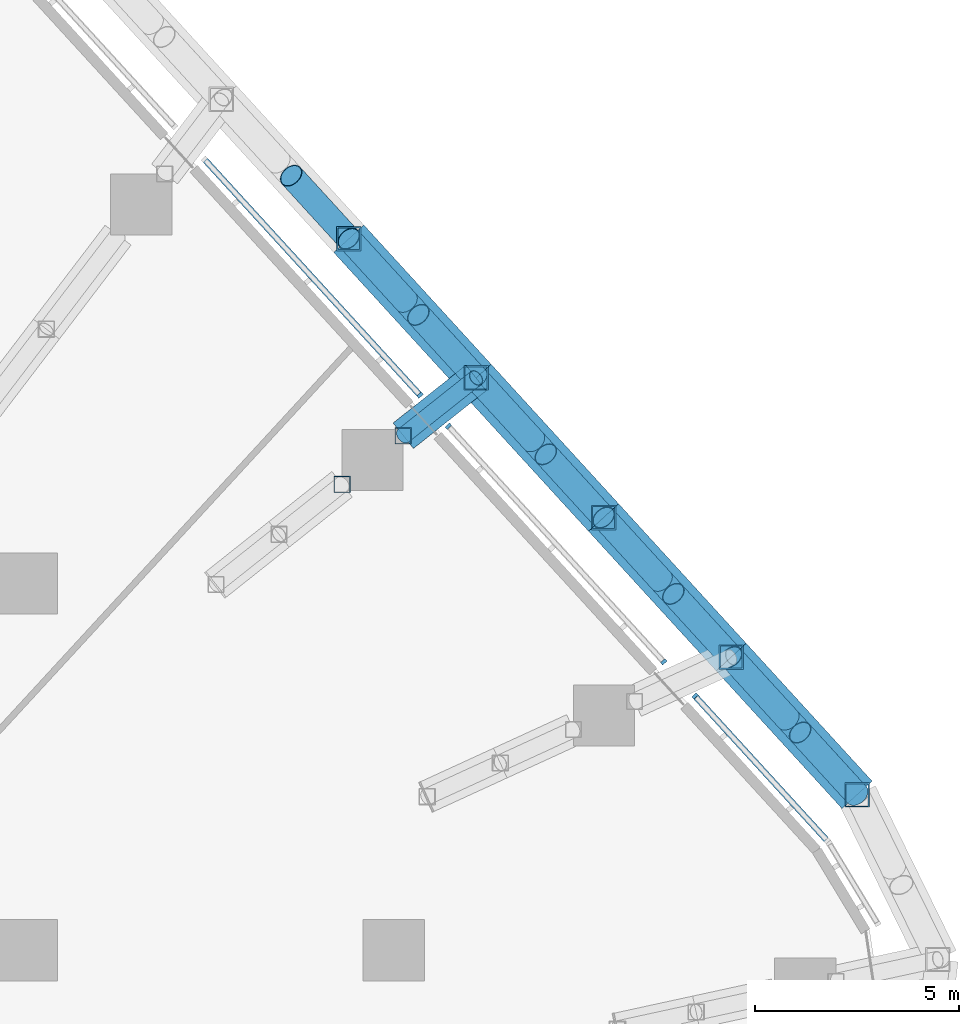
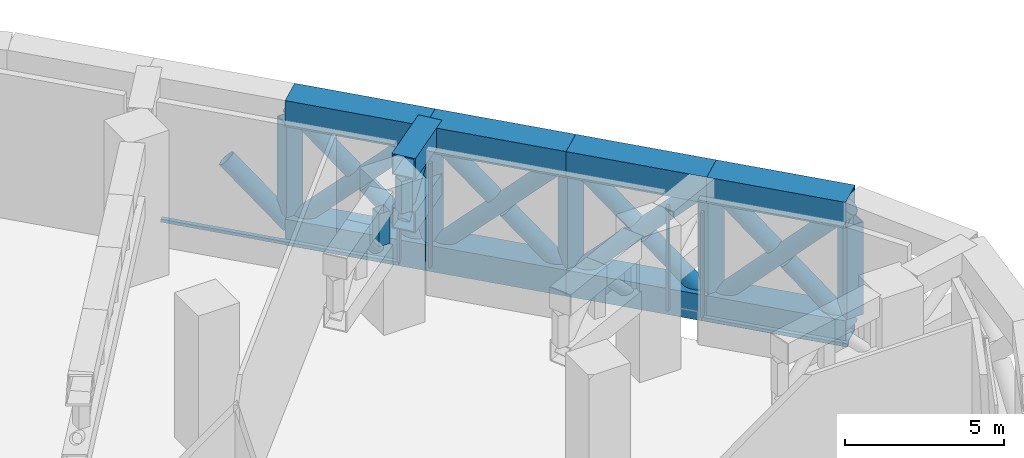
# One storey, part 12 of 38: 37 members, 1 element without a shape of its own.
"""IFC4 building model written with IfcOpenShell, lengths in metres."""

from ifc_helpers import new_model, si_unit, direction, frame, origin, origin_2d, place, context, subcontext, project, spatial, rectangle, hollow_rectangle, hollow_circle, extrude, material, layer, layer_set, material_profile, profile_set, type_object, element, aggregate, save


model = new_model("IFC4")

# Units and contexts
model_context = context("Model", 3, precision=1e-05, world=origin(), true_north=direction((0.0, 1.0)))
body_context = subcontext(model_context, "Body", "Model", "MODEL_VIEW")
ifc_project = project(units=[si_unit("LENGTHUNIT", "METRE"), si_unit("AREAUNIT", "SQUARE_METRE"), si_unit("VOLUMEUNIT", "CUBIC_METRE"), si_unit("PLANEANGLEUNIT", "RADIAN"), si_unit("MASSUNIT", "GRAM", prefix="KILO")], contexts=[model_context])

# Site, building, storey
site_placement = place(None, origin())
site = spatial("IfcSite", under=ifc_project, at=site_placement, CompositionType="ELEMENT")
building_placement = place(site_placement, origin())
building = spatial("IfcBuilding", under=site, at=building_placement, Name="Dongbaek Canopy Tower", CompositionType="ELEMENT")
storey_placement = place(building_placement, frame((0.0, 0.0, 89.199951171875)))
storey = spatial("IfcBuildingStorey", under=building, at=storey_placement, Name="L18", CompositionType="ELEMENT", Elevation=89.199951171875)

# Members
ifc_material_1 = material(Name="Steel S355", Category="steel")
ifc_material_profile_1 = material_profile(ifc_material_1, hollow_circle(Radius=0.304931640625, WallThickness=0.01611328125, at=origin_2d()), Name="BELT BRACE CHS 610.0x16.0 Steel S355")
ifc_profile_set_1 = profile_set([ifc_material_profile_1], Name="Steel S355")
member_type_1 = type_object("IfcMemberType", Name="BELT BRACE CHS 610.0x16.0 Steel S355", PredefinedType="BRACE", material=ifc_profile_set_1)
member_1_placement = place(storey_placement, frame((25.89501953125, 26.460205078125, 0.5), z_axis=(-0.481188682869, 0.526435030724, 0.700944798044), x_axis=(-0.738114931163, -0.674674994641, 0.0)))
element("IfcMember", 1, at=member_1_placement, inside=storey, type_object=member_type_1, Name="BELT:L18:18:D0:1", PredefinedType="BRACE", context=body_context, shape_type="SweptSolid", body=[
    extrude(hollow_circle(Radius=0.304931640625, WallThickness=0.01611328125, at=origin_2d()), origin(), (0.0, 0.0, 1.0), 2.940673828125),
])
member_2_placement = place(storey_placement, frame((25.89501953125, 26.460205078125, 0.5), z_axis=(0.481159334957, -0.526443149488, 0.700958846682), x_axis=(0.73814060422, 0.674646906464, 0.0)))
element("IfcMember", 2, at=member_2_placement, inside=storey, type_object=member_type_1, Name="BELT:L18:18:D1:0", PredefinedType="BRACE", context=body_context, shape_type="SweptSolid", body=[
    extrude(hollow_circle(Radius=0.304931640625, WallThickness=0.01611328125, at=origin_2d()), origin(), (0.0, 0.0, 1.0), 6.4912109375),
])
for number, where, z_axis, x_axis, name in (
    (3, (29.018310546875, 23.04296875, 0.5), (-0.481124881077, 0.526456060554, 0.700972799126), (-0.738172900527, -0.674611568925, 0.0), "BELT:L18:18:D1:1"),
    (4, (25.89501953125, 26.460205078125, 5.050048828125), (0.481124881077, -0.526456060554, -0.700972799126), (0.738172900527, 0.674611568925, 0.0), "BELT:L18:18:D1:2"),
):
    element("IfcMember", number, at=place(storey_placement, frame(where, z_axis=z_axis, x_axis=x_axis)), inside=storey, type_object=member_type_1, Name=name, PredefinedType="BRACE", context=body_context, shape_type="SweptSolid", body=[
        extrude(hollow_circle(Radius=0.304931640625, WallThickness=0.01611328125, at=origin_2d()), origin(), (0.0, 0.0, 1.0), 2.940673828125),
    ])
member_3_placement = place(storey_placement, frame((29.018310546875, 23.04296875, 0.5), z_axis=(0.48167243221, -0.527018241872, 0.700173864682), x_axis=(0.738149341251, 0.674637347033, 0.0)))
element("IfcMember", 5, at=member_3_placement, inside=storey, type_object=member_type_1, Name="BELT:L18:19:D0:0", PredefinedType="BRACE", context=body_context, shape_type="SweptSolid", body=[
    extrude(hollow_circle(Radius=0.304931640625, WallThickness=0.01611328125, at=origin_2d()), origin(), (0.0, 0.0, 1.0), 6.49853515625),
])
member_4_placement = place(storey_placement, frame((32.1484375, 19.6181640625, 0.5), z_axis=(-0.481673711666, 0.527030144836, 0.700164025014), x_axis=(-0.738156036501, -0.674630021402, 0.0)))
element("IfcMember", 6, at=member_4_placement, inside=storey, type_object=member_type_1, Name="BELT:L18:19:D0:1", PredefinedType="BRACE", context=body_context, shape_type="SweptSolid", body=[
    extrude(hollow_circle(Radius=0.304931640625, WallThickness=0.01611328125, at=origin_2d()), origin(), (0.0, 0.0, 1.0), 2.9443359375),
])
member_5_placement = place(storey_placement, frame((29.018310546875, 23.04296875, 5.050048828125), z_axis=(0.481659042556, -0.527021903485, -0.700180319611), x_axis=(0.738161014457, 0.67462457466, 0.0)))
element("IfcMember", 7, at=member_5_placement, inside=storey, type_object=member_type_1, Name="BELT:L18:19:D0:2", PredefinedType="BRACE", context=body_context, shape_type="SweptSolid", body=[
    extrude(hollow_circle(Radius=0.304931640625, WallThickness=0.01611328125, at=origin_2d()), origin(), (0.0, 0.0, 1.0), 2.94384765625),
])
member_6_placement = place(storey_placement, frame((32.1484375, 19.6181640625, 0.5), z_axis=(0.481701284122, -0.527008704856, 0.700161194212), x_axis=(0.738123137895, 0.674666016117, 0.0)))
element("IfcMember", 8, at=member_6_placement, inside=storey, type_object=member_type_1, Name="BELT:L18:19:D1:0", PredefinedType="BRACE", context=body_context, shape_type="SweptSolid", body=[
    extrude(hollow_circle(Radius=0.304931640625, WallThickness=0.01611328125, at=origin_2d()), origin(), (0.0, 0.0, 1.0), 6.49853515625),
])
member_7_placement = place(storey_placement, frame((35.27880859375, 16.193359375, 0.5), z_axis=(-0.481673711666, 0.527030144836, 0.700164025014), x_axis=(-0.738156036501, -0.674630021402, 0.0)))
element("IfcMember", 9, at=member_7_placement, inside=storey, type_object=member_type_1, Name="BELT:L18:19:D1:1", PredefinedType="BRACE", context=body_context, shape_type="SweptSolid", body=[
    extrude(hollow_circle(Radius=0.304931640625, WallThickness=0.01611328125, at=origin_2d()), origin(), (0.0, 0.0, 1.0), 2.9443359375),
])
member_8_placement = place(storey_placement, frame((32.1484375, 19.6181640625, 5.050048828125), z_axis=(0.481722729571, -0.52700085151, -0.700152350794), x_axis=(0.738103173543, 0.67468785761, 0.0)))
element("IfcMember", 10, at=member_8_placement, inside=storey, type_object=member_type_1, Name="BELT:L18:19:D1:2", PredefinedType="BRACE", context=body_context, shape_type="SweptSolid", body=[
    extrude(hollow_circle(Radius=0.304931640625, WallThickness=0.01611328125, at=origin_2d()), origin(), (0.0, 0.0, 1.0), 2.944091796875),
])
member_9_placement = place(storey_placement, frame((35.27880859375, 16.193359375, 0.5), z_axis=(0.478627460339, -0.523665408135, 0.704762580258), x_axis=(0.738135739936, 0.674652228507, 0.0)))
element("IfcMember", 11, at=member_9_placement, inside=storey, type_object=member_type_1, Name="BELT:L18:20:D0:0", PredefinedType="BRACE", context=body_context, shape_type="SweptSolid", body=[
    extrude(hollow_circle(Radius=0.304931640625, WallThickness=0.01611328125, at=origin_2d()), origin(), (0.0, 0.0, 1.0), 6.4560546875),
])
for number, where, z_axis, x_axis, name in (
    (12, (38.368896484375, 12.8125, 0.5), (-0.478653013402, 0.523670283376, 0.704741603051), (-0.738120931331, -0.674668430217, 0.0), "BELT:L18:20:D0:1"),
    (13, (35.27880859375, 16.193359375, 5.050048828125), (0.478588624714, -0.523691217619, -0.704769775801), (0.73817955753, 0.674604284633, 0.0), "BELT:L18:20:D0:2"),
):
    element("IfcMember", number, at=place(storey_placement, frame(where, z_axis=z_axis, x_axis=x_axis)), inside=storey, type_object=member_type_1, Name=name, PredefinedType="BRACE", context=body_context, shape_type="SweptSolid", body=[
        extrude(hollow_circle(Radius=0.304931640625, WallThickness=0.01611328125, at=origin_2d()), origin(), (0.0, 0.0, 1.0), 2.923095703125),
    ])
ifc_material_2 = material(Name="Steel S355", Category="steel")
ifc_material_profile_2 = material_profile(ifc_material_2, hollow_rectangle(XDim=1.0, YDim=1.0, WallThickness=0.050048828125, at=origin_2d()), Name="BELT CHORD BOX 1000x1000x50 Steel S355")
ifc_profile_set_2 = profile_set([ifc_material_profile_2], Name="Steel S355")
member_type_2 = type_object("IfcMemberType", Name="BELT CHORD BOX 1000x1000x50 Steel S355", PredefinedType="CHORD", material=ifc_profile_set_2)
for number, where, z_axis, x_axis, name in (
    (14, (25.89501953125, 26.460205078125, 0.5), (0.674646906464, -0.73814060422, 0.0), (0.73814060422, 0.674646906464, 0.0), "BELT:L18:18:CB1"),
    (15, (25.89501953125, 26.460205078125, 5.050048828125), (0.674646906464, -0.73814060422, 0.0), (0.73814060422, 0.674646906464, 0.0), "BELT:L18:18:CT1"),
):
    element("IfcMember", number, at=place(storey_placement, frame(where, z_axis=z_axis, x_axis=x_axis)), inside=storey, type_object=member_type_2, Name=name, PredefinedType="CHORD", context=body_context, shape_type="SweptSolid", body=[
        extrude(hollow_rectangle(XDim=1.0, YDim=1.0, WallThickness=0.050048828125, at=origin_2d()), origin(), (0.0, 0.0, 1.0), 4.629638671875),
    ])
for number, where, z_axis, x_axis, name in (
    (16, (29.018310546875, 23.04296875, 0.5), (0.674637347033, -0.738149341251, 0.0), (0.738149341251, 0.674637347033, 0.0), "BELT:L18:19:CB0"),
    (17, (29.018310546875, 23.04296875, 5.050048828125), (0.674637347033, -0.738149341251, 0.0), (0.738149341251, 0.674637347033, 0.0), "BELT:L18:19:CT0"),
):
    element("IfcMember", number, at=place(storey_placement, frame(where, z_axis=z_axis, x_axis=x_axis)), inside=storey, type_object=member_type_2, Name=name, PredefinedType="CHORD", context=body_context, shape_type="SweptSolid", body=[
        extrude(hollow_rectangle(XDim=1.0, YDim=1.0, WallThickness=0.050048828125, at=origin_2d()), origin(), (0.0, 0.0, 1.0), 4.6396484375),
    ])
for number, where, z_axis, x_axis, name in (
    (18, (32.1484375, 19.6181640625, 0.5), (0.674666016117, -0.738123137895, 0.0), (0.738123137895, 0.674666016117, 0.0), "BELT:L18:19:CB1"),
    (19, (32.1484375, 19.6181640625, 5.050048828125), (0.674666016117, -0.738123137895, 0.0), (0.738123137895, 0.674666016117, 0.0), "BELT:L18:19:CT1"),
):
    element("IfcMember", number, at=place(storey_placement, frame(where, z_axis=z_axis, x_axis=x_axis)), inside=storey, type_object=member_type_2, Name=name, PredefinedType="CHORD", context=body_context, shape_type="SweptSolid", body=[
        extrude(hollow_rectangle(XDim=1.0, YDim=1.0, WallThickness=0.050048828125, at=origin_2d()), origin(), (0.0, 0.0, 1.0), 4.639892578125),
    ])
for number, where, z_axis, x_axis, name in (
    (20, (35.27880859375, 16.193359375, 0.5), (0.674652228507, -0.738135739936, 0.0), (0.738135739936, 0.674652228507, 0.0), "BELT:L18:20:CB0"),
    (21, (35.27880859375, 16.193359375, 5.050048828125), (0.674652228507, -0.738135739936, 0.0), (0.738135739936, 0.674652228507, 0.0), "BELT:L18:20:CT0"),
):
    element("IfcMember", number, at=place(storey_placement, frame(where, z_axis=z_axis, x_axis=x_axis)), inside=storey, type_object=member_type_2, Name=name, PredefinedType="CHORD", context=body_context, shape_type="SweptSolid", body=[
        extrude(hollow_rectangle(XDim=1.0, YDim=1.0, WallThickness=0.050048828125, at=origin_2d()), origin(), (0.0, 0.0, 1.0), 4.580322265625),
    ])
ifc_material_3 = material(Name="Steel S355", Category="steel")
ifc_material_profile_3 = material_profile(ifc_material_3, hollow_rectangle(XDim=0.60009765625, YDim=0.60009765625, WallThickness=0.031982421875, at=origin_2d()), Name="BELT POST BOX 600x600x32 Steel S355")
ifc_profile_set_3 = profile_set([ifc_material_profile_3], Name="Steel S355")
member_type_3 = type_object("IfcMemberType", Name="BELT POST BOX 600x600x32 Steel S355", PredefinedType="POST", material=ifc_profile_set_3)
for number, where, z_axis, x_axis, name in (
    (22, (25.89501953125, 26.460205078125, 1.0), (0.0, 0.0, 1.0), (1.0, 0.0, 0.0), "BELT:L18:18:P1"),
    (23, (29.018310546875, 23.04296875, 1.0), (0.0, 0.0, 1.0), (1.0, 0.0, 0.0), "BELT:L18:19:P0"),
    (24, (32.1484375, 19.6181640625, 1.0), (0.0, 0.0, 1.0), (1.0, 0.0, 0.0), "BELT:L18:19:P1"),
    (25, (35.27880859375, 16.193359375, 1.0), (0.0, 0.0, 1.0), (1.0, 0.0, 0.0), "BELT:L18:20:P0"),
    (26, (38.368896484375, 12.8125, 1.0), (0.0, 0.0, 1.0), (1.0, 0.0, 0.0), "BELT:L18:20:P1"),
):
    element("IfcMember", number, at=place(storey_placement, frame(where, z_axis=z_axis, x_axis=x_axis)), inside=storey, type_object=member_type_3, Name=name, PredefinedType="POST", context=body_context, shape_type="SweptSolid", body=[
        extrude(hollow_rectangle(XDim=0.60009765625, YDim=0.60009765625, WallThickness=0.031982421875, at=origin_2d()), origin(), (0.0, 0.0, 1.0), 3.550048828125),
    ])
ifc_material_4 = material(Name="Steel S355", Category="steel")
ifc_material_profile_4 = material_profile(ifc_material_4, hollow_circle(Radius=0.203125, WallThickness=0.0126953125, at=origin_2d()), Name="BRACE CHS 406.4x12.7 Steel S355")
ifc_profile_set_4 = profile_set([ifc_material_profile_4], Name="Steel S355")
member_type_4 = type_object("IfcMemberType", Name="BRACE CHS 406.4x12.7 Steel S355", PredefinedType="BRACE", material=ifc_profile_set_4)
member_10_placement = place(storey_placement, frame((27.23193359375, 21.62451171875, 3.10009765625), z_axis=(0.582470290792, 0.46250545162, 0.668443765448), x_axis=(-0.621845463074, 0.783139974752, 0.0)))
element("IfcMember", 27, at=member_10_placement, inside=storey, type_object=member_type_4, Name="TRUSS:L18:19x:D0", PredefinedType="BRACE", context=body_context, shape_type="SweptSolid", body=[
    extrude(hollow_circle(Radius=0.203125, WallThickness=0.0126953125, at=origin_2d()), origin(), (0.0, 0.0, 1.0), 3.06689453125),
])
ifc_material_5 = material(Name="Steel S355", Category="steel")
ifc_material_profile_5 = material_profile(ifc_material_5, hollow_rectangle(XDim=0.800048828125, YDim=0.800048828125, WallThickness=0.0400390625, at=origin_2d()), Name="CHORD BOX 800x800x40 Steel S355")
ifc_profile_set_5 = profile_set([ifc_material_profile_5], Name="Steel S355")
member_type_5 = type_object("IfcMemberType", Name="CHORD BOX 800x800x40 Steel S355", PredefinedType="CHORD", material=ifc_profile_set_5)
for number, where, z_axis, x_axis, name in (
    (28, (27.23193359375, 21.62451171875, 3.10009765625), (0.783139974752, 0.621845463074, 0.0), (-0.621845463074, 0.783139974752, 0.0), "TRUSS:L18:19x:CB"),
    (29, (27.23193359375, 21.62451171875, 5.150146484375), (0.783139974752, 0.621845463074, 0.0), (-0.621845463074, 0.783139974752, 0.0), "TRUSS:L18:19x:CT0"),
):
    element("IfcMember", number, at=place(storey_placement, frame(where, z_axis=z_axis, x_axis=x_axis)), inside=storey, type_object=member_type_5, Name=name, PredefinedType="CHORD", context=body_context, shape_type="SweptSolid", body=[
        extrude(hollow_rectangle(XDim=0.800048828125, YDim=0.800048828125, WallThickness=0.0400390625, at=origin_2d()), origin(), (0.0, 0.0, 1.0), 2.281005859375),
    ])

# Curtain wall, members
ifc_material_6 = material(Name="Aluminium 6063-T6 pale anodised", Category="aluminium")
ifc_layer = layer(ifc_material_6, 0.14990234375)
ifc_layer_set = layer_set([ifc_layer], Name="CW-7 louvre curtain wall")
curtain_wall_type = type_object("IfcCurtainWallType", Name="CW-7 louvre curtain wall", PredefinedType="NOTDEFINED", material=ifc_layer_set)
curtain_wall_placement = place(storey_placement, origin())
curtain_wall = element("IfcCurtainWall", 30, at=curtain_wall_placement, inside=storey, type_object=curtain_wall_type, Name="CW-7 louvre wall L18 F0", PredefinedType="NOTDEFINED")
ifc_material_7 = material(Name="Aluminium 6063-T6 pale anodised", Category="aluminium")
ifc_material_profile_6 = material_profile(ifc_material_7, rectangle(XDim=0.14990234375, YDim=0.080078125, at=origin_2d()), Name="CW-7 mullion 80 x 150")
ifc_profile_set_6 = profile_set([ifc_material_profile_6], Name="Aluminium 6063-T6 pale anodised")
member_type_6 = type_object("IfcMemberType", Name="CW-7 mullion 80 x 150", PredefinedType="MULLION", material=ifc_profile_set_6)
member_11_placement = place(storey_placement, frame((34.391845703125, 15.23681640625, 0.775146484375), z_axis=(0.0, 0.0, 1.0), x_axis=(0.738140821352, 0.674646668897, 0.0)))
member_11 = element("IfcMember", 31, at=member_11_placement, type_object=member_type_6, Name="CW-7 mullion L18 F0.1.2", PredefinedType="MULLION", context=body_context, shape_type="SweptSolid", body=[
    extrude(rectangle(XDim=0.14990234375, YDim=0.080078125, at=origin_2d()), origin(), (0.0, 0.0, 1.0), 4.0),
])
member_12_placement = place(storey_placement, frame((33.625244140625, 16.075439453125, 0.775146484375), z_axis=(0.0, 0.0, 1.0), x_axis=(0.738140821352, 0.674646668897, 0.0)))
member_12 = element("IfcMember", 32, at=member_12_placement, type_object=member_type_6, Name="CW-7 mullion L18 F0.2.1", PredefinedType="MULLION", context=body_context, shape_type="SweptSolid", body=[
    extrude(rectangle(XDim=0.14990234375, YDim=0.080078125, at=origin_2d()), origin(), (0.0, 0.0, 1.0), 4.0),
])
member_13_placement = place(storey_placement, frame((28.33837890625, 21.85986328125, 0.775146484375), z_axis=(0.0, 0.0, 1.0), x_axis=(0.738140821352, 0.674646668897, 0.0)))
member_13 = element("IfcMember", 33, at=member_13_placement, type_object=member_type_6, Name="CW-7 mullion L18 F0.2.2", PredefinedType="MULLION", context=body_context, shape_type="SweptSolid", body=[
    extrude(rectangle(XDim=0.14990234375, YDim=0.080078125, at=origin_2d()), origin(), (0.0, 0.0, 1.0), 4.0),
])
member_14_placement = place(storey_placement, frame((27.643798828125, 22.619873046875, 0.775146484375), z_axis=(0.0, 0.0, 1.0), x_axis=(0.738140821352, 0.674646668897, 0.0)))
member_14 = element("IfcMember", 34, at=member_14_placement, type_object=member_type_6, Name="CW-7 mullion L18 F0.3.1", PredefinedType="MULLION", context=body_context, shape_type="SweptSolid", body=[
    extrude(rectangle(XDim=0.14990234375, YDim=0.080078125, at=origin_2d()), origin(), (0.0, 0.0, 1.0), 4.0),
])
ifc_material_8 = material(Name="Aluminium 6063-T6 pale anodised", Category="aluminium")
ifc_material_profile_7 = material_profile(ifc_material_8, rectangle(XDim=0.14990234375, YDim=0.1201171875, at=origin_2d()), Name="CW-7 transom 120 x 150")
ifc_profile_set_7 = profile_set([ifc_material_profile_7], Name="Aluminium 6063-T6 pale anodised")
member_type_7 = type_object("IfcMemberType", Name="CW-7 transom 120 x 150", PredefinedType="USERDEFINED", material=ifc_profile_set_7)
member_15_placement = place(storey_placement, frame((37.636962890625, 11.68603515625, 0.715087890625), z_axis=(-0.674620692961, 0.738164562024, 0.0), x_axis=(-0.738164562024, -0.674620692961, 0.0)))
member_15 = element("IfcMember", 35, at=member_15_placement, type_object=member_type_7, Name="CW-7 transom L18 F0.1", ObjectType="TRANSOM", PredefinedType="USERDEFINED", context=body_context, shape_type="SweptSolid", body=[
    extrude(rectangle(XDim=0.14990234375, YDim=0.1201171875, at=origin_2d()), origin(), (0.0, 0.0, 1.0), 4.810302734375),
])
member_16_placement = place(storey_placement, frame((27.643798828125, 22.619873046875, 0.715087890625), z_axis=(-0.674634548736, 0.738151898766, 0.0), x_axis=(-0.738151898766, -0.674634548736, 0.0)))
member_16 = element("IfcMember", 36, at=member_16_placement, type_object=member_type_7, Name="CW-7 transom L18 F0.3", ObjectType="TRANSOM", PredefinedType="USERDEFINED", context=body_context, shape_type="SweptSolid", body=[
    extrude(rectangle(XDim=0.14990234375, YDim=0.1201171875, at=origin_2d()), origin(), (0.0, 0.0, 1.0), 7.844970703125),
])
aggregate(curtain_wall, [member_15, member_11, member_12, member_13, member_16, member_14])

# Members
ifc_material_9 = material(Name="Steel S355", Category="steel")
ifc_material_profile_8 = material_profile(ifc_material_9, hollow_rectangle(XDim=0.39990234375, YDim=0.39990234375, WallThickness=0.01611328125, at=origin_2d()), Name="POST SHS 400x400x16 Steel S355")
ifc_profile_set_8 = profile_set([ifc_material_profile_8], Name="Steel S355")
member_type_8 = type_object("IfcMemberType", Name="POST SHS 400x400x16 Steel S355", PredefinedType="POST", material=ifc_profile_set_8)
for number, where, z_axis, x_axis, name in (
    (37, (25.73193359375, 20.433349609375, 3.5), (0.0, 0.0, 1.0), (1.0, 0.0, 0.0), "TRUSS:L18:19:P2"),
    (38, (27.23193359375, 21.62451171875, 3.5), (0.0, 0.0, 1.0), (1.0, 0.0, 0.0), "TRUSS:L18:19x:P0"),
):
    element("IfcMember", number, at=place(storey_placement, frame(where, z_axis=z_axis, x_axis=x_axis)), inside=storey, type_object=member_type_8, Name=name, PredefinedType="POST", context=body_context, shape_type="SweptSolid", body=[
        extrude(hollow_rectangle(XDim=0.39990234375, YDim=0.39990234375, WallThickness=0.01611328125, at=origin_2d()), origin(), (0.0, 0.0, 1.0), 1.25),
    ])

save(model, "model.ifc")
